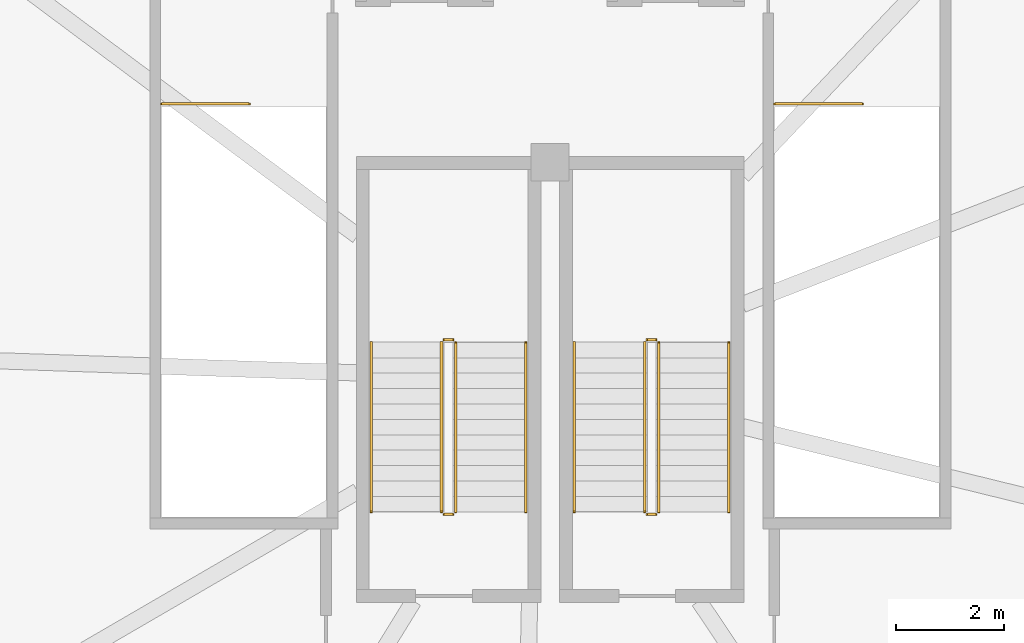
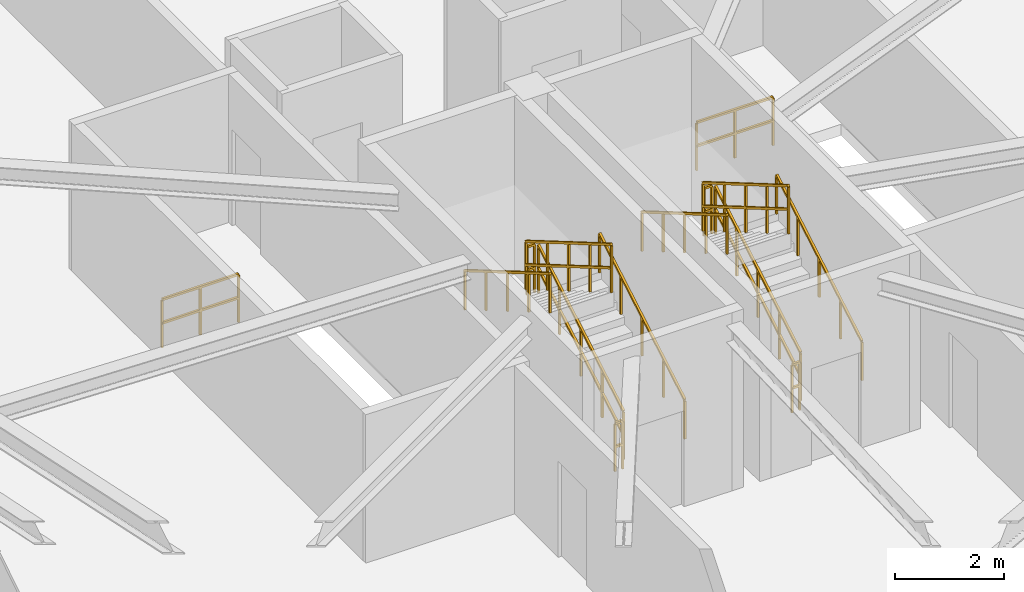
# One storey, part 14 of 14: 14 railings.
"""IFC4 building model written with IfcOpenShell, lengths in metres."""

from ifc_helpers import new_model, si_unit, direction, frame, origin, origin_2d, place, context, subcontext, project, spatial, rectangle, extrude, material, type_object, element, save


model = new_model("IFC4")

# Units and contexts
model_context = context("Model", 3, precision=1e-05, world=origin(), true_north=direction((0.0, 1.0)))
body_context = subcontext(model_context, "Body", "Model", "MODEL_VIEW")
ifc_project = project(units=[si_unit("LENGTHUNIT", "METRE"), si_unit("AREAUNIT", "SQUARE_METRE"), si_unit("VOLUMEUNIT", "CUBIC_METRE"), si_unit("PLANEANGLEUNIT", "RADIAN"), si_unit("MASSUNIT", "GRAM", prefix="KILO"), si_unit("THERMODYNAMICTEMPERATUREUNIT", "KELVIN"), si_unit("POWERUNIT", "WATT")], contexts=[model_context])

# Site, building, storey
site_placement = place(None, origin())
site = spatial("IfcSite", under=ifc_project, at=site_placement, CompositionType="ELEMENT")
building_placement = place(site_placement, origin())
building = spatial("IfcBuilding", under=site, at=building_placement, Name="Ocrelia Relay Tower", CompositionType="ELEMENT")
storey_placement = place(building_placement, frame((0.0, 0.0, 288.0)))
storey = spatial("IfcBuildingStorey", under=building, at=storey_placement, Name="L72", CompositionType="ELEMENT", Elevation=288.0)

# Railings
ifc_material_1 = material(Name="Steel S355 balustrade", Category="steel")
railing_type_1 = type_object("IfcRailingType", Name="RL-STAIR-GUARD", PredefinedType="GUARDRAIL", material=ifc_material_1)
railing_1_placement = place(storey_placement, frame((26.81005859375, 28.199951171875, 0.0)))
element("IfcRailing", 1, at=railing_1_placement, inside=storey, type_object=railing_type_1, Name="L72 ST1 top well guard 1", PredefinedType="GUARDRAIL", context=body_context, shape_type="SweptSolid", body=[
    extrude(rectangle(XDim=0.048095703125, YDim=0.048095703125, at=origin_2d()), frame((0.0, 0.0, 1.076171875), z_axis=(1.0, 0.0, 0.0), x_axis=(0.0, 1.0, 0.0)), (0.0, 0.0, 1.0), 1.619873046875),
    extrude(rectangle(XDim=0.048095703125, YDim=0.048095703125, at=origin_2d()), frame((0.0, 0.0, 0.550048828125), z_axis=(1.0, 0.0, 0.0), x_axis=(0.0, 1.0, 0.0)), (0.0, 0.0, 1.0), 1.619873046875),
    extrude(rectangle(XDim=0.0419921875, YDim=0.0419921875, at=origin_2d()), origin(), (0.0, 0.0, 1.0), 1.052001953125),
    extrude(rectangle(XDim=0.0419921875, YDim=0.0419921875, at=origin_2d()), frame((0.81005859375, 0.0, 0.0)), (0.0, 0.0, 1.0), 1.052001953125),
    extrude(rectangle(XDim=0.0419921875, YDim=0.0419921875, at=origin_2d()), frame((1.619873046875, 0.0, 0.0)), (0.0, 0.0, 1.0), 1.052001953125),
])
railing_2_placement = place(storey_placement, frame((38.159912109375, 28.199951171875, 0.0)))
element("IfcRailing", 2, at=railing_2_placement, inside=storey, type_object=railing_type_1, Name="L72 ST2 top well guard 1", PredefinedType="GUARDRAIL", context=body_context, shape_type="SweptSolid", body=[
    extrude(rectangle(XDim=0.048095703125, YDim=0.048095703125, at=origin_2d()), frame((0.0, 0.0, 1.076171875), z_axis=(1.0, 0.0, 0.0), x_axis=(0.0, 1.0, 0.0)), (0.0, 0.0, 1.0), 1.6201171875),
    extrude(rectangle(XDim=0.048095703125, YDim=0.048095703125, at=origin_2d()), frame((0.0, 0.0, 0.550048828125), z_axis=(1.0, 0.0, 0.0), x_axis=(0.0, 1.0, 0.0)), (0.0, 0.0, 1.0), 1.6201171875),
    extrude(rectangle(XDim=0.0419921875, YDim=0.0419921875, at=origin_2d()), origin(), (0.0, 0.0, 1.0), 1.052001953125),
    extrude(rectangle(XDim=0.0419921875, YDim=0.0419921875, at=origin_2d()), frame((0.81005859375, 0.0, 0.0)), (0.0, 0.0, 1.0), 1.052001953125),
    extrude(rectangle(XDim=0.0419921875, YDim=0.0419921875, at=origin_2d()), frame((1.6201171875, 0.0, 0.0)), (0.0, 0.0, 1.0), 1.052001953125),
])
railing_3_placement = place(storey_placement, frame((32.25, 20.64990234375, 0.166748046875)))
element("IfcRailing", 3, at=railing_3_placement, inside=storey, type_object=railing_type_1, Name="L72 ST4 stair guard 1", PredefinedType="GUARDRAIL", context=body_context, shape_type="SweptSolid", body=[
    extrude(rectangle(XDim=0.048095703125, YDim=0.048095703125, at=origin_2d()), frame((0.0, 0.0, 1.076171875), z_axis=(0.0, 0.863239559939, 0.504794475164), x_axis=(-1.0, 0.0, 0.0)), (0.0, 0.0, 1.0), 3.631591796875),
    extrude(rectangle(XDim=0.048095703125, YDim=0.048095703125, at=origin_2d()), frame((0.0, 0.0, 0.550048828125), z_axis=(0.0, 0.863239559939, 0.504794475164), x_axis=(-1.0, 0.0, 0.0)), (0.0, 0.0, 1.0), 3.631591796875),
    extrude(rectangle(XDim=0.0419921875, YDim=0.0419921875, at=origin_2d()), origin(), (0.0, 0.0, 1.0), 1.052001953125),
    extrude(rectangle(XDim=0.0419921875, YDim=0.0419921875, at=origin_2d()), frame((0.0, 0.78369140625, 0.458251953125)), (0.0, 0.0, 1.0), 1.052001953125),
    extrude(rectangle(XDim=0.0419921875, YDim=0.0419921875, at=origin_2d()), frame((0.0, 1.5673828125, 0.91650390625)), (0.0, 0.0, 1.0), 1.052001953125),
    extrude(rectangle(XDim=0.0419921875, YDim=0.0419921875, at=origin_2d()), frame((0.0, 2.351318359375, 1.375)), (0.0, 0.0, 1.0), 1.052001953125),
    extrude(rectangle(XDim=0.0419921875, YDim=0.0419921875, at=origin_2d()), frame((0.0, 3.135009765625, 1.833251953125)), (0.0, 0.0, 1.0), 1.052001953125),
])
railing_4_placement = place(storey_placement, frame((32.199951171875, 23.8349609375, 2.0)))
element("IfcRailing", 4, at=railing_4_placement, inside=storey, type_object=railing_type_1, Name="L72 ST4 stair guard 2", PredefinedType="GUARDRAIL", context=body_context, shape_type="SweptSolid", body=[
    extrude(rectangle(XDim=0.048095703125, YDim=0.048095703125, at=origin_2d()), frame((0.0, 0.0, 1.076171875), z_axis=(-1.0, 0.0, 0.0), x_axis=(0.0, -1.0, 0.0)), (0.0, 0.0, 1.0), 0.159912109375),
    extrude(rectangle(XDim=0.048095703125, YDim=0.048095703125, at=origin_2d()), frame((0.0, 0.0, 0.550048828125), z_axis=(-1.0, 0.0, 0.0), x_axis=(0.0, -1.0, 0.0)), (0.0, 0.0, 1.0), 0.159912109375),
    extrude(rectangle(XDim=0.0419921875, YDim=0.0419921875, at=origin_2d()), origin(), (0.0, 0.0, 1.0), 1.052001953125),
    extrude(rectangle(XDim=0.0419921875, YDim=0.0419921875, at=origin_2d()), frame((-0.159912109375, 0.0, 0.0)), (0.0, 0.0, 1.0), 1.052001953125),
])
railing_5_placement = place(storey_placement, frame((31.989990234375, 23.784912109375, 2.166748046875)))
element("IfcRailing", 5, at=railing_5_placement, inside=storey, type_object=railing_type_1, Name="L72 ST4 stair guard 3", PredefinedType="GUARDRAIL", context=body_context, shape_type="SweptSolid", body=[
    extrude(rectangle(XDim=0.048095703125, YDim=0.048095703125, at=origin_2d()), frame((0.0, 0.0, 1.076171875), z_axis=(0.0, -0.863239559939, 0.504794475164), x_axis=(1.0, 0.0, 0.0)), (0.0, 0.0, 1.0), 3.631591796875),
    extrude(rectangle(XDim=0.048095703125, YDim=0.048095703125, at=origin_2d()), frame((0.0, 0.0, 0.550048828125), z_axis=(0.0, -0.863239559939, 0.504794475164), x_axis=(1.0, 0.0, 0.0)), (0.0, 0.0, 1.0), 3.631591796875),
    extrude(rectangle(XDim=0.0419921875, YDim=0.0419921875, at=origin_2d()), origin(), (0.0, 0.0, 1.0), 1.052001953125),
    extrude(rectangle(XDim=0.0419921875, YDim=0.0419921875, at=origin_2d()), frame((0.0, -0.78369140625, 0.458251953125)), (0.0, 0.0, 1.0), 1.052001953125),
    extrude(rectangle(XDim=0.0419921875, YDim=0.0419921875, at=origin_2d()), frame((0.0, -1.5673828125, 0.91650390625)), (0.0, 0.0, 1.0), 1.052001953125),
    extrude(rectangle(XDim=0.0419921875, YDim=0.0419921875, at=origin_2d()), frame((0.0, -2.351318359375, 1.375)), (0.0, 0.0, 1.0), 1.052001953125),
    extrude(rectangle(XDim=0.0419921875, YDim=0.0419921875, at=origin_2d()), frame((0.0, -3.135009765625, 1.833251953125)), (0.0, 0.0, 1.0), 1.052001953125),
])
railing_6_placement = place(storey_placement, frame((32.199951171875, 20.60009765625, 0.0)))
element("IfcRailing", 6, at=railing_6_placement, inside=storey, type_object=railing_type_1, Name="L72 ST4 stair guard 4", PredefinedType="GUARDRAIL", context=body_context, shape_type="SweptSolid", body=[
    extrude(rectangle(XDim=0.048095703125, YDim=0.048095703125, at=origin_2d()), frame((0.0, 0.0, 1.076171875), z_axis=(-1.0, 0.0, 0.0), x_axis=(0.0, -1.0, 0.0)), (0.0, 0.0, 1.0), 0.159912109375),
    extrude(rectangle(XDim=0.048095703125, YDim=0.048095703125, at=origin_2d()), frame((0.0, 0.0, 0.550048828125), z_axis=(-1.0, 0.0, 0.0), x_axis=(0.0, -1.0, 0.0)), (0.0, 0.0, 1.0), 0.159912109375),
    extrude(rectangle(XDim=0.0419921875, YDim=0.0419921875, at=origin_2d()), origin(), (0.0, 0.0, 1.0), 1.052001953125),
    extrude(rectangle(XDim=0.0419921875, YDim=0.0419921875, at=origin_2d()), frame((-0.159912109375, 0.0, 0.0)), (0.0, 0.0, 1.0), 1.052001953125),
])
railing_7_placement = place(storey_placement, frame((36.010009765625, 20.64990234375, 0.166748046875)))
element("IfcRailing", 7, at=railing_7_placement, inside=storey, type_object=railing_type_1, Name="L72 ST5 stair guard 1", PredefinedType="GUARDRAIL", context=body_context, shape_type="SweptSolid", body=[
    extrude(rectangle(XDim=0.048095703125, YDim=0.048095703125, at=origin_2d()), frame((0.0, 0.0, 1.076171875), z_axis=(0.0, 0.863239559939, 0.504794475164), x_axis=(-1.0, 0.0, 0.0)), (0.0, 0.0, 1.0), 3.631591796875),
    extrude(rectangle(XDim=0.048095703125, YDim=0.048095703125, at=origin_2d()), frame((0.0, 0.0, 0.550048828125), z_axis=(0.0, 0.863239559939, 0.504794475164), x_axis=(-1.0, 0.0, 0.0)), (0.0, 0.0, 1.0), 3.631591796875),
    extrude(rectangle(XDim=0.0419921875, YDim=0.0419921875, at=origin_2d()), origin(), (0.0, 0.0, 1.0), 1.052001953125),
    extrude(rectangle(XDim=0.0419921875, YDim=0.0419921875, at=origin_2d()), frame((0.0, 0.78369140625, 0.458251953125)), (0.0, 0.0, 1.0), 1.052001953125),
    extrude(rectangle(XDim=0.0419921875, YDim=0.0419921875, at=origin_2d()), frame((0.0, 1.5673828125, 0.91650390625)), (0.0, 0.0, 1.0), 1.052001953125),
    extrude(rectangle(XDim=0.0419921875, YDim=0.0419921875, at=origin_2d()), frame((0.0, 2.351318359375, 1.375)), (0.0, 0.0, 1.0), 1.052001953125),
    extrude(rectangle(XDim=0.0419921875, YDim=0.0419921875, at=origin_2d()), frame((0.0, 3.135009765625, 1.833251953125)), (0.0, 0.0, 1.0), 1.052001953125),
])
railing_8_placement = place(storey_placement, frame((35.9599609375, 23.8349609375, 2.0)))
element("IfcRailing", 8, at=railing_8_placement, inside=storey, type_object=railing_type_1, Name="L72 ST5 stair guard 2", PredefinedType="GUARDRAIL", context=body_context, shape_type="SweptSolid", body=[
    extrude(rectangle(XDim=0.048095703125, YDim=0.048095703125, at=origin_2d()), frame((0.0, 0.0, 1.076171875), z_axis=(-1.0, 0.0, 0.0), x_axis=(0.0, -1.0, 0.0)), (0.0, 0.0, 1.0), 0.159912109375),
    extrude(rectangle(XDim=0.048095703125, YDim=0.048095703125, at=origin_2d()), frame((0.0, 0.0, 0.550048828125), z_axis=(-1.0, 0.0, 0.0), x_axis=(0.0, -1.0, 0.0)), (0.0, 0.0, 1.0), 0.159912109375),
    extrude(rectangle(XDim=0.0419921875, YDim=0.0419921875, at=origin_2d()), origin(), (0.0, 0.0, 1.0), 1.052001953125),
    extrude(rectangle(XDim=0.0419921875, YDim=0.0419921875, at=origin_2d()), frame((-0.159912109375, 0.0, 0.0)), (0.0, 0.0, 1.0), 1.052001953125),
])
railing_9_placement = place(storey_placement, frame((35.75, 23.784912109375, 2.166748046875)))
element("IfcRailing", 9, at=railing_9_placement, inside=storey, type_object=railing_type_1, Name="L72 ST5 stair guard 3", PredefinedType="GUARDRAIL", context=body_context, shape_type="SweptSolid", body=[
    extrude(rectangle(XDim=0.048095703125, YDim=0.048095703125, at=origin_2d()), frame((0.0, 0.0, 1.076171875), z_axis=(0.0, -0.863239559939, 0.504794475164), x_axis=(1.0, 0.0, 0.0)), (0.0, 0.0, 1.0), 3.631591796875),
    extrude(rectangle(XDim=0.048095703125, YDim=0.048095703125, at=origin_2d()), frame((0.0, 0.0, 0.550048828125), z_axis=(0.0, -0.863239559939, 0.504794475164), x_axis=(1.0, 0.0, 0.0)), (0.0, 0.0, 1.0), 3.631591796875),
    extrude(rectangle(XDim=0.0419921875, YDim=0.0419921875, at=origin_2d()), origin(), (0.0, 0.0, 1.0), 1.052001953125),
    extrude(rectangle(XDim=0.0419921875, YDim=0.0419921875, at=origin_2d()), frame((0.0, -0.78369140625, 0.458251953125)), (0.0, 0.0, 1.0), 1.052001953125),
    extrude(rectangle(XDim=0.0419921875, YDim=0.0419921875, at=origin_2d()), frame((0.0, -1.5673828125, 0.91650390625)), (0.0, 0.0, 1.0), 1.052001953125),
    extrude(rectangle(XDim=0.0419921875, YDim=0.0419921875, at=origin_2d()), frame((0.0, -2.351318359375, 1.375)), (0.0, 0.0, 1.0), 1.052001953125),
    extrude(rectangle(XDim=0.0419921875, YDim=0.0419921875, at=origin_2d()), frame((0.0, -3.135009765625, 1.833251953125)), (0.0, 0.0, 1.0), 1.052001953125),
])
railing_10_placement = place(storey_placement, frame((35.9599609375, 20.60009765625, 0.0)))
element("IfcRailing", 10, at=railing_10_placement, inside=storey, type_object=railing_type_1, Name="L72 ST5 stair guard 4", PredefinedType="GUARDRAIL", context=body_context, shape_type="SweptSolid", body=[
    extrude(rectangle(XDim=0.048095703125, YDim=0.048095703125, at=origin_2d()), frame((0.0, 0.0, 1.076171875), z_axis=(-1.0, 0.0, 0.0), x_axis=(0.0, -1.0, 0.0)), (0.0, 0.0, 1.0), 0.159912109375),
    extrude(rectangle(XDim=0.048095703125, YDim=0.048095703125, at=origin_2d()), frame((0.0, 0.0, 0.550048828125), z_axis=(-1.0, 0.0, 0.0), x_axis=(0.0, -1.0, 0.0)), (0.0, 0.0, 1.0), 0.159912109375),
    extrude(rectangle(XDim=0.0419921875, YDim=0.0419921875, at=origin_2d()), origin(), (0.0, 0.0, 1.0), 1.052001953125),
    extrude(rectangle(XDim=0.0419921875, YDim=0.0419921875, at=origin_2d()), frame((-0.159912109375, 0.0, 0.0)), (0.0, 0.0, 1.0), 1.052001953125),
])
ifc_material_2 = material(Name="Steel S355 tubular handrail", Category="steel")
railing_type_2 = type_object("IfcRailingType", Name="RL-STAIR-HAND", PredefinedType="HANDRAIL", material=ifc_material_2)
railing_11_placement = place(storey_placement, frame((33.550048828125, 20.64990234375, 0.166748046875)))
element("IfcRailing", 11, at=railing_11_placement, inside=storey, type_object=railing_type_2, Name="L72 ST4 stair handrail 1", PredefinedType="HANDRAIL", context=body_context, shape_type="SweptSolid", body=[
    extrude(rectangle(XDim=0.048095703125, YDim=0.048095703125, at=origin_2d()), frame((0.0, 0.0, 0.8759765625), z_axis=(0.0, 0.863239559939, 0.504794475164), x_axis=(-1.0, 0.0, 0.0)), (0.0, 0.0, 1.0), 3.631591796875),
    extrude(rectangle(XDim=0.0419921875, YDim=0.0419921875, at=origin_2d()), origin(), (0.0, 0.0, 1.0), 0.851806640625),
    extrude(rectangle(XDim=0.0419921875, YDim=0.0419921875, at=origin_2d()), frame((0.0, 0.78369140625, 0.458251953125)), (0.0, 0.0, 1.0), 0.851806640625),
    extrude(rectangle(XDim=0.0419921875, YDim=0.0419921875, at=origin_2d()), frame((0.0, 1.5673828125, 0.91650390625)), (0.0, 0.0, 1.0), 0.851806640625),
    extrude(rectangle(XDim=0.0419921875, YDim=0.0419921875, at=origin_2d()), frame((0.0, 2.351318359375, 1.375)), (0.0, 0.0, 1.0), 0.851806640625),
    extrude(rectangle(XDim=0.0419921875, YDim=0.0419921875, at=origin_2d()), frame((0.0, 3.135009765625, 1.833251953125)), (0.0, 0.0, 1.0), 0.851806640625),
])
railing_12_placement = place(storey_placement, frame((30.68994140625, 23.784912109375, 2.166748046875)))
element("IfcRailing", 12, at=railing_12_placement, inside=storey, type_object=railing_type_2, Name="L72 ST4 stair handrail 2", PredefinedType="HANDRAIL", context=body_context, shape_type="SweptSolid", body=[
    extrude(rectangle(XDim=0.048095703125, YDim=0.048095703125, at=origin_2d()), frame((0.0, 0.0, 0.8759765625), z_axis=(0.0, -0.863239559939, 0.504794475164), x_axis=(1.0, 0.0, 0.0)), (0.0, 0.0, 1.0), 3.631591796875),
    extrude(rectangle(XDim=0.0419921875, YDim=0.0419921875, at=origin_2d()), origin(), (0.0, 0.0, 1.0), 0.851806640625),
    extrude(rectangle(XDim=0.0419921875, YDim=0.0419921875, at=origin_2d()), frame((0.0, -0.78369140625, 0.458251953125)), (0.0, 0.0, 1.0), 0.851806640625),
    extrude(rectangle(XDim=0.0419921875, YDim=0.0419921875, at=origin_2d()), frame((0.0, -1.5673828125, 0.91650390625)), (0.0, 0.0, 1.0), 0.851806640625),
    extrude(rectangle(XDim=0.0419921875, YDim=0.0419921875, at=origin_2d()), frame((0.0, -2.351318359375, 1.375)), (0.0, 0.0, 1.0), 0.851806640625),
    extrude(rectangle(XDim=0.0419921875, YDim=0.0419921875, at=origin_2d()), frame((0.0, -3.135009765625, 1.833251953125)), (0.0, 0.0, 1.0), 0.851806640625),
])
railing_13_placement = place(storey_placement, frame((37.31005859375, 20.64990234375, 0.166748046875)))
element("IfcRailing", 13, at=railing_13_placement, inside=storey, type_object=railing_type_2, Name="L72 ST5 stair handrail 1", PredefinedType="HANDRAIL", context=body_context, shape_type="SweptSolid", body=[
    extrude(rectangle(XDim=0.048095703125, YDim=0.048095703125, at=origin_2d()), frame((0.0, 0.0, 0.8759765625), z_axis=(0.0, 0.863239559939, 0.504794475164), x_axis=(-1.0, 0.0, 0.0)), (0.0, 0.0, 1.0), 3.631591796875),
    extrude(rectangle(XDim=0.0419921875, YDim=0.0419921875, at=origin_2d()), origin(), (0.0, 0.0, 1.0), 0.851806640625),
    extrude(rectangle(XDim=0.0419921875, YDim=0.0419921875, at=origin_2d()), frame((0.0, 0.78369140625, 0.458251953125)), (0.0, 0.0, 1.0), 0.851806640625),
    extrude(rectangle(XDim=0.0419921875, YDim=0.0419921875, at=origin_2d()), frame((0.0, 1.5673828125, 0.91650390625)), (0.0, 0.0, 1.0), 0.851806640625),
    extrude(rectangle(XDim=0.0419921875, YDim=0.0419921875, at=origin_2d()), frame((0.0, 2.351318359375, 1.375)), (0.0, 0.0, 1.0), 0.851806640625),
    extrude(rectangle(XDim=0.0419921875, YDim=0.0419921875, at=origin_2d()), frame((0.0, 3.135009765625, 1.833251953125)), (0.0, 0.0, 1.0), 0.851806640625),
])
railing_14_placement = place(storey_placement, frame((34.449951171875, 23.784912109375, 2.166748046875)))
element("IfcRailing", 14, at=railing_14_placement, inside=storey, type_object=railing_type_2, Name="L72 ST5 stair handrail 2", PredefinedType="HANDRAIL", context=body_context, shape_type="SweptSolid", body=[
    extrude(rectangle(XDim=0.048095703125, YDim=0.048095703125, at=origin_2d()), frame((0.0, 0.0, 0.8759765625), z_axis=(0.0, -0.863239559939, 0.504794475164), x_axis=(1.0, 0.0, 0.0)), (0.0, 0.0, 1.0), 3.631591796875),
    extrude(rectangle(XDim=0.0419921875, YDim=0.0419921875, at=origin_2d()), origin(), (0.0, 0.0, 1.0), 0.851806640625),
    extrude(rectangle(XDim=0.0419921875, YDim=0.0419921875, at=origin_2d()), frame((0.0, -0.78369140625, 0.458251953125)), (0.0, 0.0, 1.0), 0.851806640625),
    extrude(rectangle(XDim=0.0419921875, YDim=0.0419921875, at=origin_2d()), frame((0.0, -1.5673828125, 0.91650390625)), (0.0, 0.0, 1.0), 0.851806640625),
    extrude(rectangle(XDim=0.0419921875, YDim=0.0419921875, at=origin_2d()), frame((0.0, -2.351318359375, 1.375)), (0.0, 0.0, 1.0), 0.851806640625),
    extrude(rectangle(XDim=0.0419921875, YDim=0.0419921875, at=origin_2d()), frame((0.0, -3.135009765625, 1.833251953125)), (0.0, 0.0, 1.0), 0.851806640625),
])

save(model, "model.ifc")
